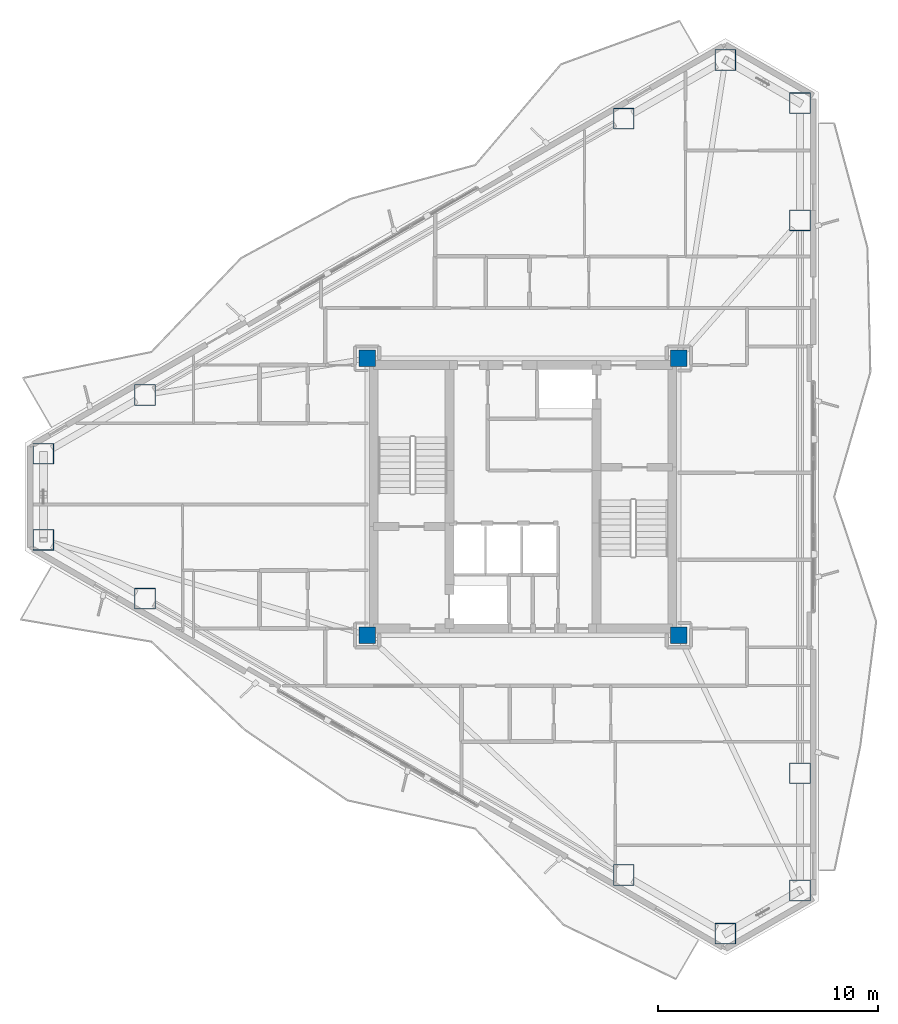
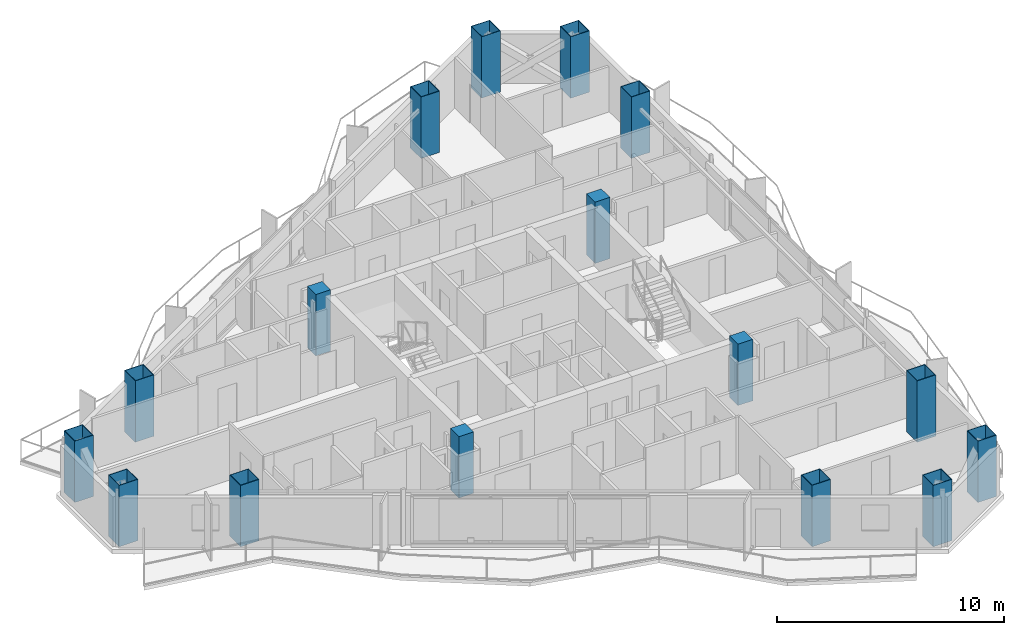
# One storey, part 1 of 19: 16 columns.
"""IFC4 building model written with IfcOpenShell, lengths in metres."""

from ifc_helpers import new_model, si_unit, direction, frame, origin, origin_2d, place, context, subcontext, project, spatial, rectangle, hollow_rectangle, extrude, material, material_profile, profile_set, type_object, element, save


model = new_model("IFC4")

# Units and contexts
model_context = context("Model", 3, precision=1e-05, world=origin(), true_north=direction((0.0, 1.0)))
body_context = subcontext(model_context, "Body", "Model", "MODEL_VIEW")
ifc_project = project(units=[si_unit("LENGTHUNIT", "METRE"), si_unit("AREAUNIT", "SQUARE_METRE"), si_unit("VOLUMEUNIT", "CUBIC_METRE"), si_unit("PLANEANGLEUNIT", "RADIAN"), si_unit("MASSUNIT", "GRAM", prefix="KILO")], contexts=[model_context])

# Site, building, storey
site_placement = place(None, origin())
site = spatial("IfcSite", under=ifc_project, at=site_placement, CompositionType="ELEMENT")
building_placement = place(site_placement, origin())
building = spatial("IfcBuilding", under=site, at=building_placement, Name="Mersakhor Tower and Convention Hall", CompositionType="ELEMENT")
storey_placement = place(building_placement, frame((0.0, 0.0, 127.800048828125)))
storey = spatial("IfcBuildingStorey", under=building, at=storey_placement, Name="L35", CompositionType="ELEMENT", Elevation=127.800048828125)

# Columns
ifc_material_1 = material(Name="Concrete C60/75 in S460M steel box", Category="concrete")
ifc_material_profile_1 = material_profile(ifc_material_1, hollow_rectangle(XDim=0.949951171875, YDim=0.949951171875, WallThickness=0.028076171875, at=origin_2d()), Name="SHS 950x950x28")
ifc_profile_set_1 = profile_set([ifc_material_profile_1], Name="Concrete C60/75 in S460M steel box")
column_type_1 = type_object("IfcColumnType", Name="COL-CFT-950", PredefinedType="COLUMN", material=ifc_profile_set_1)
for number, where, z_axis, x_axis, name in (
    (1, (7.160400390625, 28.71240234375, 0.0), (0.0, 0.0, 1.0), (1.0, 0.0, 0.0), "L35 Perimeter Mega-Column MC-01"),
    (2, (11.788330078125, 31.38427734375, 0.0), (0.0, 0.0, 1.0), (1.0, 0.0, 0.0), "L35 Perimeter Mega-Column MC-02"),
    (3, (33.592529296875, 43.972900390625, 0.0), (0.0, 0.0, 1.0), (1.0, 0.0, 0.0), "L35 Perimeter Mega-Column MC-03"),
    (4, (38.220458984375, 46.644775390625, 0.0), (0.0, 0.0, 1.0), (1.0, 0.0, 0.0), "L35 Perimeter Mega-Column MC-04"),
    (5, (41.619140625, 44.6826171875, 0.0), (0.0, 0.0, 1.0), (1.0, 0.0, 0.0), "L35 Perimeter Mega-Column MC-05"),
    (6, (41.619140625, 39.338623046875, 0.0), (0.0, 0.0, 1.0), (1.0, 0.0, 0.0), "L35 Perimeter Mega-Column MC-06"),
    (7, (41.619140625, 14.161376953125, 0.0), (0.0, 0.0, 1.0), (1.0, 0.0, 0.0), "L35 Perimeter Mega-Column MC-07"),
    (8, (41.619140625, 8.8173828125, 0.0), (0.0, 0.0, 1.0), (1.0, 0.0, 0.0), "L35 Perimeter Mega-Column MC-08"),
    (9, (38.220458984375, 6.855224609375, 0.0), (0.0, 0.0, 1.0), (1.0, 0.0, 0.0), "L35 Perimeter Mega-Column MC-09"),
    (10, (33.592529296875, 9.527099609375, 0.0), (0.0, 0.0, 1.0), (1.0, 0.0, 0.0), "L35 Perimeter Mega-Column MC-10"),
    (11, (11.788330078125, 22.11572265625, 0.0), (0.0, 0.0, 1.0), (1.0, 0.0, 0.0), "L35 Perimeter Mega-Column MC-11"),
    (12, (7.160400390625, 24.78759765625, 0.0), (0.0, 0.0, 1.0), (1.0, 0.0, 0.0), "L35 Perimeter Mega-Column MC-12"),
):
    element("IfcColumn", number, at=place(storey_placement, frame(where, z_axis=z_axis, x_axis=x_axis)), inside=storey, type_object=column_type_1, Name=name, PredefinedType="COLUMN", context=body_context, shape_type="SweptSolid", body=[
        extrude(hollow_rectangle(XDim=0.949951171875, YDim=0.949951171875, WallThickness=0.028076171875, at=origin_2d()), origin(), (0.0, 0.0, 1.0), 3.300048828125),
    ])
ifc_material_2 = material(Name="Concrete C50/60", Category="concrete")
ifc_material_profile_2 = material_profile(ifc_material_2, rectangle(XDim=0.75, YDim=0.75, at=origin_2d()), Name="RC 750x750")
ifc_profile_set_2 = profile_set([ifc_material_profile_2], Name="Concrete C50/60")
column_type_2 = type_object("IfcColumnType", Name="COL-RC-750", PredefinedType="COLUMN", material=ifc_profile_set_2)
for number, where, z_axis, x_axis, name in (
    (13, (21.89990234375, 20.449951171875, 0.0), (0.0, 0.0, 1.0), (1.0, 0.0, 0.0), "L35 Core Corner Column CC-1"),
    (14, (21.89990234375, 33.050048828125, 0.0), (0.0, 0.0, 1.0), (1.0, 0.0, 0.0), "L35 Core Corner Column CC-2"),
    (15, (36.10009765625, 33.050048828125, 0.0), (0.0, 0.0, 1.0), (1.0, 0.0, 0.0), "L35 Core Corner Column CC-3"),
    (16, (36.10009765625, 20.449951171875, 0.0), (0.0, 0.0, 1.0), (1.0, 0.0, 0.0), "L35 Core Corner Column CC-4"),
):
    element("IfcColumn", number, at=place(storey_placement, frame(where, z_axis=z_axis, x_axis=x_axis)), inside=storey, type_object=column_type_2, Name=name, PredefinedType="COLUMN", context=body_context, shape_type="SweptSolid", body=[
        extrude(rectangle(XDim=0.75, YDim=0.75, at=origin_2d()), origin(), (0.0, 0.0, 1.0), 3.300048828125),
    ])

save(model, "model.ifc")
